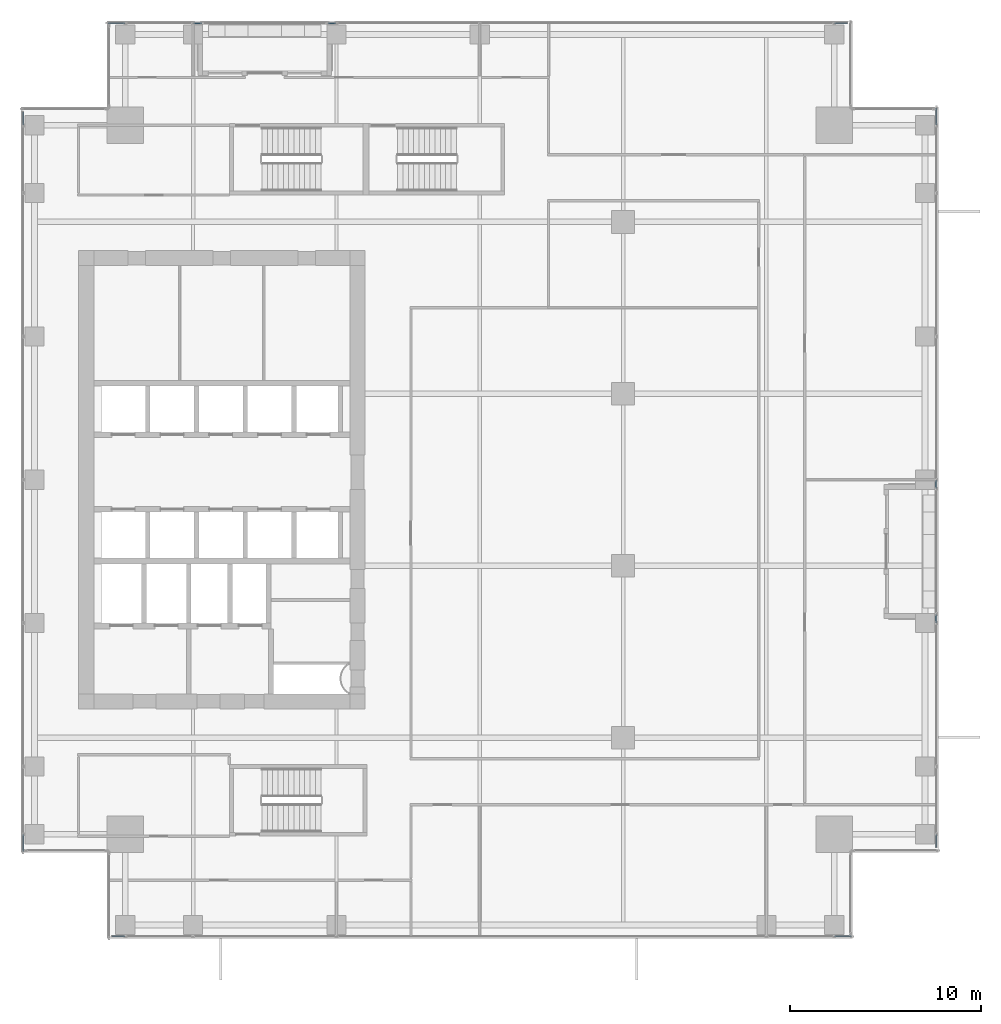
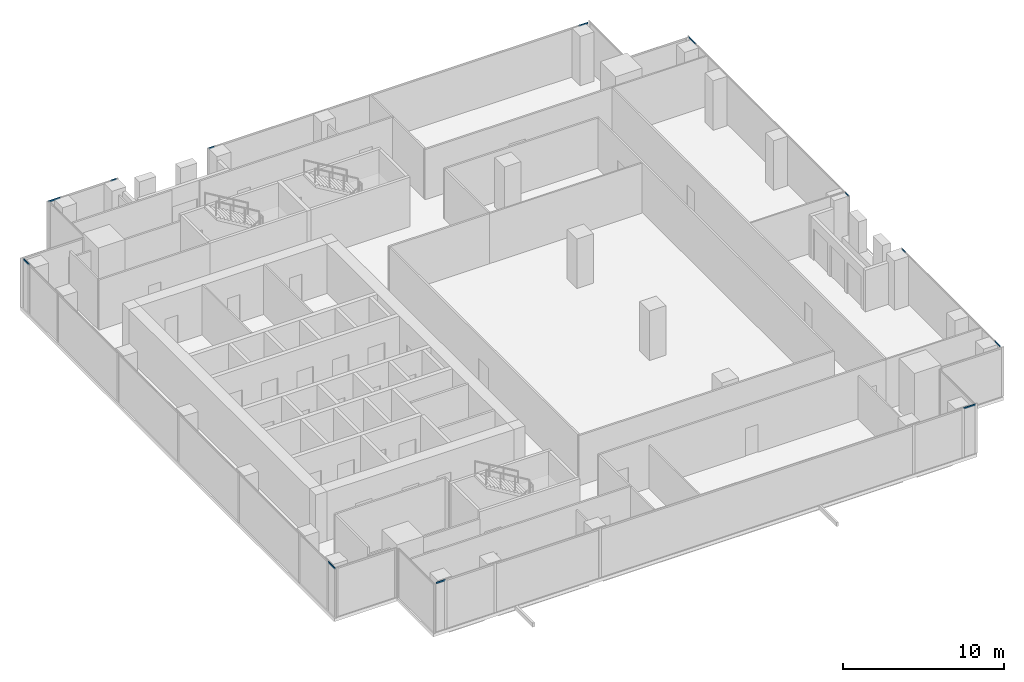
# One storey, part 28 of 40: 12 members, 6 elements without a shape of their own.
"""IFC4 building model written with IfcOpenShell, lengths in metres."""

import ifcopenshell
import ifcopenshell.guid

model = None  # the IFC model being written
_history = None  # IfcOwnerHistory: only IFC2X3 demands one
_inside = {}  # id of a spatial element -> (the spatial element, [elements in it])
_under = {}  # id of a project, library or spatial element -> (it, [spatial elements below it])
_declared = {}  # id of a project -> (the project, [libraries it declares])
_typed = {}  # id of a type object -> (the type object, [elements of that type])
_made_of = {}  # id of a material, layer set ... -> (it, [elements and type objects made of it])


def new_model(schema):
    """Start an empty IFC model of exactly this schema.

    Asked for "IFC4X3", IfcOpenShell would pick the latest addendum, in which some entities
    have other attributes; the version numbers below select the first issue.
    IFC2X3 requires an IfcOwnerHistory on every rooted entity: one is made here for all.
    """
    global model, _history
    if schema == "IFC4X3":
        model = ifcopenshell.file(schema_version=(4, 3, 0, 0))
    else:
        model = ifcopenshell.file(schema=schema)
    _inside.clear()
    _under.clear()
    _declared.clear()
    _typed.clear()
    _made_of.clear()
    _history = None
    if model.schema == "IFC2X3":
        org = make("IfcOrganization", Name="unknown")
        user = make(
            "IfcPersonAndOrganization",
            ThePerson=make("IfcPerson", FamilyName="unknown"),
            TheOrganization=org,
        )
        app = make(
            "IfcApplication",
            ApplicationDeveloper=org,
            Version="unknown",
            ApplicationFullName="unknown",
            ApplicationIdentifier="unknown",
        )
        _history = make(
            "IfcOwnerHistory",
            OwningUser=user,
            OwningApplication=app,
            ChangeAction="ADDED",
            CreationDate=0,
        )
    return model


def make(cls, **values):
    """One entity of the class cls with the attributes given. An attribute that is None is left unset."""
    return model.create_entity(
        cls, **{name: value for name, value in values.items() if value is not None}
    )


def rooted(cls, **values):
    """An entity with a GlobalId (a new one), such as an element, a storey or a relation."""
    return make(cls, GlobalId=ifcopenshell.guid.new(), OwnerHistory=_history, **values)


def si_unit(unit_type, name, prefix=None):
    """IfcSIUnit, for example si_unit("LENGTHUNIT", "METRE", prefix="MILLI")."""
    return make("IfcSIUnit", UnitType=unit_type, Prefix=prefix, Name=name)


def assignment(units):
    """IfcUnitAssignment: the units of a project."""
    return None if units is None else make("IfcUnitAssignment", Units=units)


def point(xyz):
    """IfcCartesianPoint."""
    return None if xyz is None else make("IfcCartesianPoint", Coordinates=xyz)


def direction(xyz):
    """IfcDirection."""
    return None if xyz is None else make("IfcDirection", DirectionRatios=xyz)


def frame(location, z_axis=None, x_axis=None):
    """IfcAxis2Placement3D, a coordinate frame: its origin and axes. An axis left out is left unset."""
    return make(
        "IfcAxis2Placement3D",
        Location=point(location),
        Axis=direction(z_axis),
        RefDirection=direction(x_axis),
    )


def frame_2d(location, x_axis=None):
    """IfcAxis2Placement2D, a coordinate frame in the plane: its origin and x axis."""
    return make(
        "IfcAxis2Placement2D", Location=point(location), RefDirection=direction(x_axis)
    )


def origin():
    """The frame at (0, 0, 0) with its axes left unset."""
    return frame((0.0, 0.0, 0.0))


def origin_2d():
    """The frame at (0, 0) in the plane with its x axis left unset."""
    return frame_2d((0.0, 0.0))


def place(relative_to, where):
    """IfcLocalPlacement: puts the frame where relative to a parent placement (None: the world)."""
    return make(
        "IfcLocalPlacement", PlacementRelTo=relative_to, RelativePlacement=where
    )


def context(
    kind, dimensions, precision=None, world=None, true_north=None, identifier=None
):
    """IfcGeometricRepresentationContext, for example the 3D "Model" context."""
    return make(
        "IfcGeometricRepresentationContext",
        ContextIdentifier=identifier,
        ContextType=kind,
        CoordinateSpaceDimension=dimensions,
        Precision=precision,
        WorldCoordinateSystem=world,
        TrueNorth=true_north,
    )


def subcontext(parent, identifier, kind, view, scale=None):
    """IfcGeometricRepresentationSubContext, for example "Body" below "Model"."""
    return make(
        "IfcGeometricRepresentationSubContext",
        ContextIdentifier=identifier,
        ContextType=kind,
        ParentContext=parent,
        TargetScale=scale,
        TargetView=view,
    )


def project(units=None, contexts=None):
    """IfcProject with its units and contexts."""
    return rooted(
        "IfcProject",
        Name="project",
        RepresentationContexts=contexts,
        UnitsInContext=assignment(units),
    )


def spatial(cls, under=None, at=None, **own):
    """A site, building, storey or space (cls), placed at a placement, below another one or the project."""
    s = rooted(cls, ObjectPlacement=at, **own)
    if under is not None:
        _under.setdefault(under.id(), (under, []))[1].append(s)
    return s


def profile(cls, at=None, kind="AREA", **sizes):
    """A parametric profile (cls). Its sizes go by their IFC names, for example OverallWidth=200.0."""
    return make(cls, ProfileType=kind, Position=at, **sizes)


def hollow_rectangle(**sizes):
    """IfcRectangleHollowProfileDef."""
    return profile("IfcRectangleHollowProfileDef", **sizes)


def extrude(swept, where, along, depth):
    """IfcExtrudedAreaSolid: the profile swept, set in the frame where, extruded along a direction by depth."""
    return make(
        "IfcExtrudedAreaSolid",
        SweptArea=swept,
        Position=where,
        ExtrudedDirection=direction(along),
        Depth=depth,
    )


def shape(context_of_items, identifier, shape_type, items):
    """IfcShapeRepresentation: the items that make up one representation, for example the "Body"."""
    return make(
        "IfcShapeRepresentation",
        ContextOfItems=context_of_items,
        RepresentationIdentifier=identifier,
        RepresentationType=shape_type,
        Items=items,
    )


def source(mapping_origin, context_of_items, identifier, shape_type, items):
    """IfcRepresentationMap: a shape defined once, which mapped items show again and again."""
    return make(
        "IfcRepresentationMap",
        MappingOrigin=mapping_origin,
        MappedRepresentation=shape(context_of_items, identifier, shape_type, items),
    )


def transform(
    local_origin,
    x_axis=None,
    y_axis=None,
    z_axis=None,
    scale=None,
    scale2=None,
    scale3=None,
    uniform=True,
):
    """IfcCartesianTransformationOperator3D, or its non-uniform kind. x_axis, y_axis, z_axis: its Axis1, 2, 3."""
    if uniform:
        return make(
            "IfcCartesianTransformationOperator3D",
            Axis1=direction(x_axis),
            Axis2=direction(y_axis),
            LocalOrigin=point(local_origin),
            Scale=scale,
            Axis3=direction(z_axis),
        )
    return make(
        "IfcCartesianTransformationOperator3DnonUniform",
        Axis1=direction(x_axis),
        Axis2=direction(y_axis),
        LocalOrigin=point(local_origin),
        Scale=scale,
        Axis3=direction(z_axis),
        Scale2=scale2,
        Scale3=scale3,
    )


def mapped(mapping_source, mapping_target):
    """IfcMappedItem: shows the shape of a source again, moved by a transform."""
    return make(
        "IfcMappedItem", MappingSource=mapping_source, MappingTarget=mapping_target
    )


def material(Name=None, Category=None):
    """IfcMaterial."""
    return make("IfcMaterial", Name=Name, Category=Category)


def material_profile(
    of_material, cross_section, Name=None, Category=None, Priority=None
):
    """IfcMaterialProfile: a cross section and its material."""
    return make(
        "IfcMaterialProfile",
        Name=Name,
        Material=of_material,
        Profile=cross_section,
        Priority=Priority,
        Category=Category,
    )


def profile_set(profiles, Name=None, composite=None):
    """IfcMaterialProfileSet."""
    return make(
        "IfcMaterialProfileSet",
        Name=Name,
        MaterialProfiles=profiles,
        CompositeProfile=composite,
    )


def made_of(thing, what):
    """Note that an element or type object is made of a material, layer set ...; save() writes the relation."""
    if what is not None:
        _made_of.setdefault(what.id(), (what, []))[1].append(thing)
    return thing


def type_object(cls, material=None, **own):
    """A type object (cls), such as IfcWallType, which elements share."""
    return made_of(rooted(cls, **own), material)


def element(
    cls,
    number,
    at=None,
    inside=None,
    cuts=None,
    type_object=None,
    material=None,
    context=None,
    identifier="Body",
    shape_type=None,
    held_by="IfcProductDefinitionShape",
    body=None,
    shapes=None,
    **own,
):
    """One element of the class cls, such as IfcWall. Its Tag is "e" and its number.

    at: its placement. inside: the storey or other place that contains it. cuts: it is an
    opening in that element (IfcRelVoidsElement). A single representation is given by context,
    identifier, shape_type and body (its items); several are given by shapes. held_by: the class
    of the entity that holds the representations. save() writes the other relations.
    """
    e = rooted(cls, Tag="e%d" % number, ObjectPlacement=at, **own)
    if body is not None:
        shapes = [shape(context, identifier, shape_type, body)]
    if shapes is not None:
        e.Representation = make(held_by, Representations=shapes)
    if inside is not None:
        _inside.setdefault(inside.id(), (inside, []))[1].append(e)
    if cuts is not None:
        rooted(
            "IfcRelVoidsElement", RelatingBuildingElement=cuts, RelatedOpeningElement=e
        )
    if type_object is not None:
        _typed.setdefault(type_object.id(), (type_object, []))[1].append(e)
    return made_of(e, material)


def aggregate(whole, parts):
    """IfcRelAggregates: a whole, such as a stair, and the parts it consists of."""
    return rooted("IfcRelAggregates", RelatingObject=whole, RelatedObjects=parts)


def save(model, path):
    """Write the relations noted so far, then the file.

    IfcRelAggregates (storeys below a building ...), IfcRelContainedInSpatialStructure (elements
    in a storey), IfcRelDefinesByType, IfcRelAssociatesMaterial and IfcRelDeclares: one each for
    every whole, place, type object, material and project.
    """
    for whole, parts in _under.values():
        aggregate(whole, parts)
    for where, things in _inside.values():
        rooted(
            "IfcRelContainedInSpatialStructure",
            RelatedElements=things,
            RelatingStructure=where,
        )
    for kind, things in _typed.values():
        rooted("IfcRelDefinesByType", RelatedObjects=things, RelatingType=kind)
    for what, things in _made_of.values():
        rooted("IfcRelAssociatesMaterial", RelatedObjects=things, RelatingMaterial=what)
    for by, libraries in _declared.values():
        rooted("IfcRelDeclares", RelatingContext=by, RelatedDefinitions=libraries)
    model.write(path)


model = new_model("IFC4")

# Units and contexts
model_context = context("Model", 3, precision=1e-05, world=origin(), true_north=direction((0.0, 1.0)))
body_context = subcontext(model_context, "Body", "Model", "MODEL_VIEW")
ifc_project = project(units=[si_unit("LENGTHUNIT", "METRE"), si_unit("AREAUNIT", "SQUARE_METRE"), si_unit("VOLUMEUNIT", "CUBIC_METRE"), si_unit("PLANEANGLEUNIT", "RADIAN"), si_unit("MASSUNIT", "GRAM", prefix="KILO")], contexts=[model_context])

# Site, building, storey
site_placement = place(None, origin())
site = spatial("IfcSite", under=ifc_project, at=site_placement, CompositionType="ELEMENT")
building_placement = place(site_placement, origin())
building = spatial("IfcBuilding", under=site, at=building_placement, Name="Khomas Fold Tower", CompositionType="ELEMENT")
storey_placement = place(building_placement, frame((0.0, 0.0, 204.699951171875)))
storey = spatial("IfcBuildingStorey", under=building, at=storey_placement, Name="L45", CompositionType="ELEMENT", Elevation=204.699951171875)

# Curtain wall, member
ifc_material_1 = material(Name="Aluminium framed double glazing", Category="aluminium")
curtain_wall_type = type_object("IfcCurtainWallType", Name="SK-Unitised clear-glass wall, office floors CW2", PredefinedType="NOTDEFINED", material=ifc_material_1)
curtain_wall_1_placement = place(storey_placement, origin())
curtain_wall_1 = element("IfcCurtainWall", 1, at=curtain_wall_1_placement, inside=storey, type_object=curtain_wall_type, Name="CW2 run L45 00-0", PredefinedType="NOTDEFINED")
ifc_material_2 = material(Name="Aluminium", Category="aluminium")
ifc_material_profile = material_profile(ifc_material_2, hollow_rectangle(XDim=0.050048828125, YDim=0.110107421875, WallThickness=0.00390625, at=origin_2d()), Name="SK-Unitised clear-glass wall, office floors transom CW2-T")
ifc_profile_set = profile_set([ifc_material_profile], Name="Aluminium")
member_type = type_object("IfcMemberType", Name="SK-Unitised clear-glass wall, office floors transom CW2-T", PredefinedType="USERDEFINED", material=ifc_profile_set)
shared_shape_1 = source(origin(), body_context, "Body", "SweptSolid", [
    extrude(hollow_rectangle(XDim=0.050048828125, YDim=0.110107421875, WallThickness=0.00390625, at=origin_2d()), origin(), (0.0, 0.0, 1.0), 0.659912109375),
])
member_1_placement = place(storey_placement, frame((7.760009765625, 3.10009765625, 3.695068359375), z_axis=(1.0, 0.0, 0.0), x_axis=(0.0, 1.0, 0.0)))
member_1 = element("IfcMember", 2, at=member_1_placement, type_object=member_type, Name="CW2 transom 1", ObjectType="TRANSOM", PredefinedType="USERDEFINED", context=body_context, shape_type="MappedRepresentation", body=[
    mapped(shared_shape_1, transform((0.0, 0.0, 0.0))),
])

curtain_wall_2_placement = place(storey_placement, origin())
curtain_wall_2 = element("IfcCurtainWall", 3, at=curtain_wall_2_placement, inside=storey, type_object=curtain_wall_type, Name="CW2 run L45 03-0", PredefinedType="NOTDEFINED")
member_2_placement = place(storey_placement, frame((50.89990234375, 7.760009765625, 3.695068359375), z_axis=(0.0, 1.0, 0.0), x_axis=(-1.0, 0.0, 0.0)))
member_2 = element("IfcMember", 4, at=member_2_placement, type_object=member_type, Name="CW2 transom 1", ObjectType="TRANSOM", PredefinedType="USERDEFINED", context=body_context, shape_type="MappedRepresentation", body=[
    mapped(shared_shape_1, transform((0.0, 0.0, 0.0))),
])

curtain_wall_3_placement = place(storey_placement, origin())
curtain_wall_3 = element("IfcCurtainWall", 5, at=curtain_wall_3_placement, inside=storey, type_object=curtain_wall_type, Name="CW2 run L45 06-0", PredefinedType="NOTDEFINED")
member_3_placement = place(storey_placement, frame((46.239990234375, 50.89990234375, 3.695068359375), z_axis=(-1.0, 0.0, 0.0), x_axis=(0.0, -1.0, 0.0)))
member_3 = element("IfcMember", 6, at=member_3_placement, type_object=member_type, Name="CW2 transom 1", ObjectType="TRANSOM", PredefinedType="USERDEFINED", context=body_context, shape_type="MappedRepresentation", body=[
    mapped(shared_shape_1, transform((0.0, 0.0, 0.0))),
])

curtain_wall_4_placement = place(storey_placement, origin())
curtain_wall_4 = element("IfcCurtainWall", 7, at=curtain_wall_4_placement, inside=storey, type_object=curtain_wall_type, Name="CW2 run L45 09-0", PredefinedType="NOTDEFINED")
member_4_placement = place(storey_placement, frame((3.10009765625, 46.239990234375, 3.695068359375), z_axis=(0.0, -1.0, 0.0), x_axis=(1.0, 0.0, 0.0)))
member_4 = element("IfcMember", 8, at=member_4_placement, type_object=member_type, Name="CW2 transom 1", ObjectType="TRANSOM", PredefinedType="USERDEFINED", context=body_context, shape_type="MappedRepresentation", body=[
    mapped(shared_shape_1, transform((0.0, 0.0, 0.0))),
])

# Member
shared_shape_2 = source(origin(), body_context, "Body", "SweptSolid", [
    extrude(hollow_rectangle(XDim=0.050048828125, YDim=0.110107421875, WallThickness=0.00390625, at=origin_2d()), origin(), (0.0, 0.0, 1.0), 0.409912109375),
])
member_5_placement = place(storey_placement, frame((50.89990234375, 19.530029296875, 3.695068359375), z_axis=(0.0, 1.0, 0.0), x_axis=(-1.0, 0.0, 0.0)))
member_5 = element("IfcMember", 9, at=member_5_placement, type_object=member_type, Name="CW2 transom 4", ObjectType="TRANSOM", PredefinedType="USERDEFINED", context=body_context, shape_type="MappedRepresentation", body=[
    mapped(shared_shape_2, transform((0.0, 0.0, 0.0))),
])

aggregate(curtain_wall_2, [member_2, member_5])

# Curtain wall, member
curtain_wall_5_placement = place(storey_placement, origin())
curtain_wall_5 = element("IfcCurtainWall", 10, at=curtain_wall_5_placement, inside=storey, type_object=curtain_wall_type, Name="CW2 run L45 03-1", PredefinedType="NOTDEFINED")
member_6_placement = place(storey_placement, frame((50.89990234375, 26.56005859375, 3.695068359375), z_axis=(0.0, 1.0, 0.0), x_axis=(-1.0, 0.0, 0.0)))
member_6 = element("IfcMember", 11, at=member_6_placement, type_object=member_type, Name="CW2 transom 1", ObjectType="TRANSOM", PredefinedType="USERDEFINED", context=body_context, shape_type="MappedRepresentation", body=[
    mapped(shared_shape_2, transform((0.0, 0.0, 0.0))),
])

# Member
member_7_placement = place(storey_placement, frame((19.469970703125, 50.89990234375, 3.695068359375), z_axis=(-1.0, 0.0, 0.0), x_axis=(0.0, -1.0, 0.0)))
member_7 = element("IfcMember", 12, at=member_7_placement, type_object=member_type, Name="CW2 transom 4", ObjectType="TRANSOM", PredefinedType="USERDEFINED", context=body_context, shape_type="MappedRepresentation", body=[
    mapped(shared_shape_2, transform((0.0, 0.0, 0.0))),
])

aggregate(curtain_wall_3, [member_3, member_7])

# Curtain wall, member
curtain_wall_6_placement = place(storey_placement, origin())
curtain_wall_6 = element("IfcCurtainWall", 13, at=curtain_wall_6_placement, inside=storey, type_object=curtain_wall_type, Name="CW2 run L45 06-1", PredefinedType="NOTDEFINED")
member_8_placement = place(storey_placement, frame((12.43994140625, 50.89990234375, 3.695068359375), z_axis=(-1.0, 0.0, 0.0), x_axis=(0.0, -1.0, 0.0)))
member_8 = element("IfcMember", 14, at=member_8_placement, type_object=member_type, Name="CW2 transom 1", ObjectType="TRANSOM", PredefinedType="USERDEFINED", context=body_context, shape_type="MappedRepresentation", body=[
    mapped(shared_shape_2, transform((0.0, 0.0, 0.0))),
])

# Member
shared_shape_3 = source(origin(), body_context, "Body", "SweptSolid", [
    extrude(hollow_rectangle(XDim=0.050048828125, YDim=0.110107421875, WallThickness=0.00390625, at=origin_2d()), origin(), (0.0, 0.0, 1.0), 0.85986328125),
])
member_9_placement = place(storey_placement, frame((45.580078125, 3.10009765625, 3.695068359375), z_axis=(1.0, 0.0, 0.0), x_axis=(0.0, 1.0, 0.0)))
member_9 = element("IfcMember", 15, at=member_9_placement, type_object=member_type, Name="CW2 transom 6", ObjectType="TRANSOM", PredefinedType="USERDEFINED", context=body_context, shape_type="MappedRepresentation", body=[
    mapped(shared_shape_3, transform((0.0, 0.0, 0.0))),
])

aggregate(curtain_wall_1, [member_1, member_9])

member_10_placement = place(storey_placement, frame((50.89990234375, 45.580078125, 3.695068359375), z_axis=(0.0, 1.0, 0.0), x_axis=(-1.0, 0.0, 0.0)))
member_10 = element("IfcMember", 16, at=member_10_placement, type_object=member_type, Name="CW2 transom 5", ObjectType="TRANSOM", PredefinedType="USERDEFINED", context=body_context, shape_type="MappedRepresentation", body=[
    mapped(shared_shape_3, transform((0.0, 0.0, 0.0))),
])

aggregate(curtain_wall_5, [member_6, member_10])

member_11_placement = place(storey_placement, frame((8.419921875, 50.89990234375, 3.695068359375), z_axis=(-1.0, 0.0, 0.0), x_axis=(0.0, -1.0, 0.0)))
member_11 = element("IfcMember", 17, at=member_11_placement, type_object=member_type, Name="CW2 transom 3", ObjectType="TRANSOM", PredefinedType="USERDEFINED", context=body_context, shape_type="MappedRepresentation", body=[
    mapped(shared_shape_3, transform((0.0, 0.0, 0.0))),
])

aggregate(curtain_wall_6, [member_8, member_11])

member_12_placement = place(storey_placement, frame((3.10009765625, 8.419921875, 3.695068359375), z_axis=(0.0, -1.0, 0.0), x_axis=(1.0, 0.0, 0.0)))
member_12 = element("IfcMember", 18, at=member_12_placement, type_object=member_type, Name="CW2 transom 8", ObjectType="TRANSOM", PredefinedType="USERDEFINED", context=body_context, shape_type="MappedRepresentation", body=[
    mapped(shared_shape_3, transform((0.0, 0.0, 0.0))),
])

aggregate(curtain_wall_4, [member_4, member_12])

save(model, "model.ifc")
